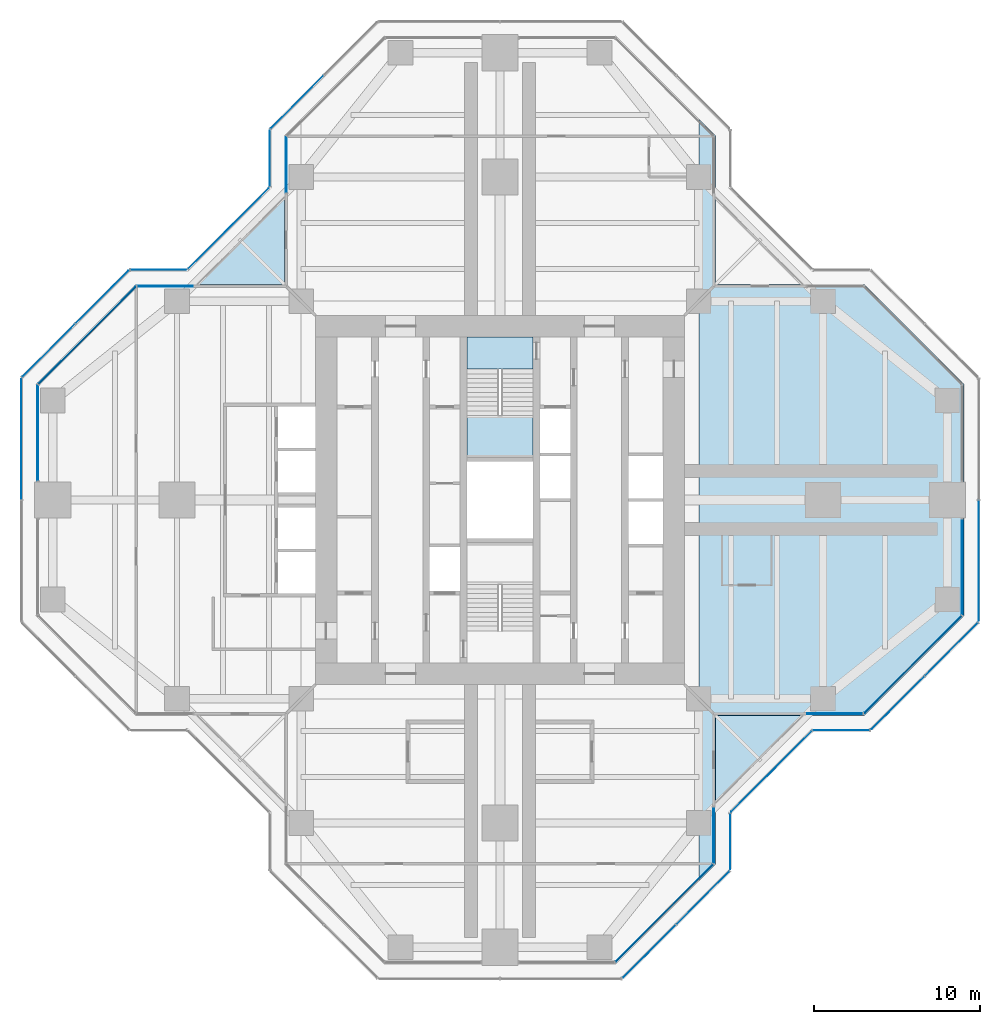
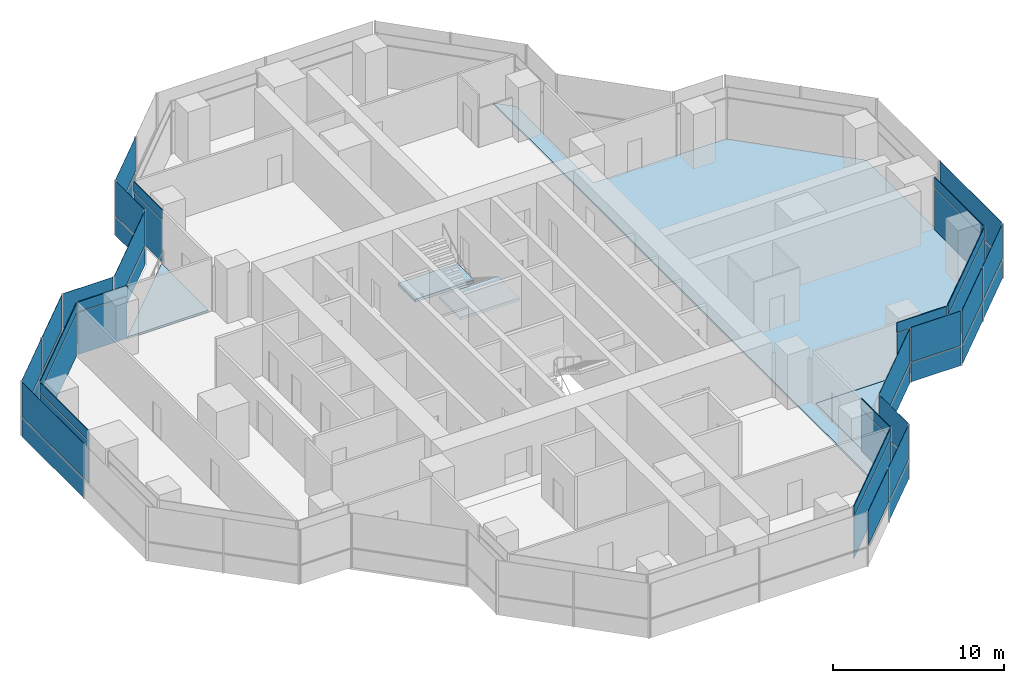
# One storey, part 11 of 17: 47 plates, 5 slabs, 22 elements without a shape of their own.
"""IFC4 building model written with IfcOpenShell, lengths in metres."""

import ifcopenshell
import ifcopenshell.guid

model = None  # the IFC model being written
_history = None  # IfcOwnerHistory: only IFC2X3 demands one
_inside = {}  # id of a spatial element -> (the spatial element, [elements in it])
_under = {}  # id of a project, library or spatial element -> (it, [spatial elements below it])
_declared = {}  # id of a project -> (the project, [libraries it declares])
_typed = {}  # id of a type object -> (the type object, [elements of that type])
_made_of = {}  # id of a material, layer set ... -> (it, [elements and type objects made of it])


def new_model(schema):
    """Start an empty IFC model of exactly this schema.

    Asked for "IFC4X3", IfcOpenShell would pick the latest addendum, in which some entities
    have other attributes; the version numbers below select the first issue.
    IFC2X3 requires an IfcOwnerHistory on every rooted entity: one is made here for all.
    """
    global model, _history
    if schema == "IFC4X3":
        model = ifcopenshell.file(schema_version=(4, 3, 0, 0))
    else:
        model = ifcopenshell.file(schema=schema)
    _inside.clear()
    _under.clear()
    _declared.clear()
    _typed.clear()
    _made_of.clear()
    _history = None
    if model.schema == "IFC2X3":
        org = make("IfcOrganization", Name="unknown")
        user = make(
            "IfcPersonAndOrganization",
            ThePerson=make("IfcPerson", FamilyName="unknown"),
            TheOrganization=org,
        )
        app = make(
            "IfcApplication",
            ApplicationDeveloper=org,
            Version="unknown",
            ApplicationFullName="unknown",
            ApplicationIdentifier="unknown",
        )
        _history = make(
            "IfcOwnerHistory",
            OwningUser=user,
            OwningApplication=app,
            ChangeAction="ADDED",
            CreationDate=0,
        )
    return model


def make(cls, **values):
    """One entity of the class cls with the attributes given. An attribute that is None is left unset."""
    return model.create_entity(
        cls, **{name: value for name, value in values.items() if value is not None}
    )


def rooted(cls, **values):
    """An entity with a GlobalId (a new one), such as an element, a storey or a relation."""
    return make(cls, GlobalId=ifcopenshell.guid.new(), OwnerHistory=_history, **values)


def si_unit(unit_type, name, prefix=None):
    """IfcSIUnit, for example si_unit("LENGTHUNIT", "METRE", prefix="MILLI")."""
    return make("IfcSIUnit", UnitType=unit_type, Prefix=prefix, Name=name)


def assignment(units):
    """IfcUnitAssignment: the units of a project."""
    return None if units is None else make("IfcUnitAssignment", Units=units)


def point(xyz):
    """IfcCartesianPoint."""
    return None if xyz is None else make("IfcCartesianPoint", Coordinates=xyz)


def direction(xyz):
    """IfcDirection."""
    return None if xyz is None else make("IfcDirection", DirectionRatios=xyz)


def frame(location, z_axis=None, x_axis=None):
    """IfcAxis2Placement3D, a coordinate frame: its origin and axes. An axis left out is left unset."""
    return make(
        "IfcAxis2Placement3D",
        Location=point(location),
        Axis=direction(z_axis),
        RefDirection=direction(x_axis),
    )


def frame_2d(location, x_axis=None):
    """IfcAxis2Placement2D, a coordinate frame in the plane: its origin and x axis."""
    return make(
        "IfcAxis2Placement2D", Location=point(location), RefDirection=direction(x_axis)
    )


def origin():
    """The frame at (0, 0, 0) with its axes left unset."""
    return frame((0.0, 0.0, 0.0))


def origin_2d():
    """The frame at (0, 0) in the plane with its x axis left unset."""
    return frame_2d((0.0, 0.0))


def place(relative_to, where):
    """IfcLocalPlacement: puts the frame where relative to a parent placement (None: the world)."""
    return make(
        "IfcLocalPlacement", PlacementRelTo=relative_to, RelativePlacement=where
    )


def context(
    kind, dimensions, precision=None, world=None, true_north=None, identifier=None
):
    """IfcGeometricRepresentationContext, for example the 3D "Model" context."""
    return make(
        "IfcGeometricRepresentationContext",
        ContextIdentifier=identifier,
        ContextType=kind,
        CoordinateSpaceDimension=dimensions,
        Precision=precision,
        WorldCoordinateSystem=world,
        TrueNorth=true_north,
    )


def subcontext(parent, identifier, kind, view, scale=None):
    """IfcGeometricRepresentationSubContext, for example "Body" below "Model"."""
    return make(
        "IfcGeometricRepresentationSubContext",
        ContextIdentifier=identifier,
        ContextType=kind,
        ParentContext=parent,
        TargetScale=scale,
        TargetView=view,
    )


def project(units=None, contexts=None):
    """IfcProject with its units and contexts."""
    return rooted(
        "IfcProject",
        Name="project",
        RepresentationContexts=contexts,
        UnitsInContext=assignment(units),
    )


def spatial(cls, under=None, at=None, **own):
    """A site, building, storey or space (cls), placed at a placement, below another one or the project."""
    s = rooted(cls, ObjectPlacement=at, **own)
    if under is not None:
        _under.setdefault(under.id(), (under, []))[1].append(s)
    return s


def polyline(points):
    """IfcPolyline through the points."""
    return make("IfcPolyline", Points=[point(p) for p in points])


def profile(cls, at=None, kind="AREA", **sizes):
    """A parametric profile (cls). Its sizes go by their IFC names, for example OverallWidth=200.0."""
    return make(cls, ProfileType=kind, Position=at, **sizes)


def rectangle(**sizes):
    """IfcRectangleProfileDef."""
    return profile("IfcRectangleProfileDef", **sizes)


def outline(outer, holes=None, kind="AREA"):
    """IfcArbitraryClosedProfileDef: a profile drawn as a closed curve; with holes, ...WithVoids."""
    if holes is None:
        return make("IfcArbitraryClosedProfileDef", ProfileType=kind, OuterCurve=outer)
    return make(
        "IfcArbitraryProfileDefWithVoids",
        ProfileType=kind,
        OuterCurve=outer,
        InnerCurves=holes,
    )


def extrude(swept, where, along, depth):
    """IfcExtrudedAreaSolid: the profile swept, set in the frame where, extruded along a direction by depth."""
    return make(
        "IfcExtrudedAreaSolid",
        SweptArea=swept,
        Position=where,
        ExtrudedDirection=direction(along),
        Depth=depth,
    )


def shape(context_of_items, identifier, shape_type, items):
    """IfcShapeRepresentation: the items that make up one representation, for example the "Body"."""
    return make(
        "IfcShapeRepresentation",
        ContextOfItems=context_of_items,
        RepresentationIdentifier=identifier,
        RepresentationType=shape_type,
        Items=items,
    )


def material(Name=None, Category=None):
    """IfcMaterial."""
    return make("IfcMaterial", Name=Name, Category=Category)


def layer(
    of_material, thickness, ventilated=None, Name=None, Category=None, Priority=None
):
    """IfcMaterialLayer: one layer of a wall or slab, of a material (None: an air gap)."""
    return make(
        "IfcMaterialLayer",
        Material=of_material,
        LayerThickness=thickness,
        IsVentilated=ventilated,
        Name=Name,
        Category=Category,
        Priority=Priority,
    )


def layer_set(layers, Name=None):
    """IfcMaterialLayerSet."""
    return make("IfcMaterialLayerSet", MaterialLayers=layers, LayerSetName=Name)


def made_of(thing, what):
    """Note that an element or type object is made of a material, layer set ...; save() writes the relation."""
    if what is not None:
        _made_of.setdefault(what.id(), (what, []))[1].append(thing)
    return thing


def type_object(cls, material=None, **own):
    """A type object (cls), such as IfcWallType, which elements share."""
    return made_of(rooted(cls, **own), material)


def element(
    cls,
    number,
    at=None,
    inside=None,
    cuts=None,
    type_object=None,
    material=None,
    context=None,
    identifier="Body",
    shape_type=None,
    held_by="IfcProductDefinitionShape",
    body=None,
    shapes=None,
    **own,
):
    """One element of the class cls, such as IfcWall. Its Tag is "e" and its number.

    at: its placement. inside: the storey or other place that contains it. cuts: it is an
    opening in that element (IfcRelVoidsElement). A single representation is given by context,
    identifier, shape_type and body (its items); several are given by shapes. held_by: the class
    of the entity that holds the representations. save() writes the other relations.
    """
    e = rooted(cls, Tag="e%d" % number, ObjectPlacement=at, **own)
    if body is not None:
        shapes = [shape(context, identifier, shape_type, body)]
    if shapes is not None:
        e.Representation = make(held_by, Representations=shapes)
    if inside is not None:
        _inside.setdefault(inside.id(), (inside, []))[1].append(e)
    if cuts is not None:
        rooted(
            "IfcRelVoidsElement", RelatingBuildingElement=cuts, RelatedOpeningElement=e
        )
    if type_object is not None:
        _typed.setdefault(type_object.id(), (type_object, []))[1].append(e)
    return made_of(e, material)


def aggregate(whole, parts):
    """IfcRelAggregates: a whole, such as a stair, and the parts it consists of."""
    return rooted("IfcRelAggregates", RelatingObject=whole, RelatedObjects=parts)


def save(model, path):
    """Write the relations noted so far, then the file.

    IfcRelAggregates (storeys below a building ...), IfcRelContainedInSpatialStructure (elements
    in a storey), IfcRelDefinesByType, IfcRelAssociatesMaterial and IfcRelDeclares: one each for
    every whole, place, type object, material and project.
    """
    for whole, parts in _under.values():
        aggregate(whole, parts)
    for where, things in _inside.values():
        rooted(
            "IfcRelContainedInSpatialStructure",
            RelatedElements=things,
            RelatingStructure=where,
        )
    for kind, things in _typed.values():
        rooted("IfcRelDefinesByType", RelatedObjects=things, RelatingType=kind)
    for what, things in _made_of.values():
        rooted("IfcRelAssociatesMaterial", RelatedObjects=things, RelatingMaterial=what)
    for by, libraries in _declared.values():
        rooted("IfcRelDeclares", RelatingContext=by, RelatedDefinitions=libraries)
    model.write(path)


model = new_model("IFC4")

# Units and contexts
model_context = context("Model", 3, precision=1e-05, world=origin(), true_north=direction((0.0, 1.0)))
body_context = subcontext(model_context, "Body", "Model", "MODEL_VIEW")
ifc_project = project(units=[si_unit("LENGTHUNIT", "METRE"), si_unit("AREAUNIT", "SQUARE_METRE"), si_unit("VOLUMEUNIT", "CUBIC_METRE"), si_unit("PLANEANGLEUNIT", "RADIAN"), si_unit("MASSUNIT", "GRAM", prefix="KILO")], contexts=[model_context])

# Site, building, storey
site_placement = place(None, origin())
site = spatial("IfcSite", under=ifc_project, at=site_placement, CompositionType="ELEMENT")
building_placement = place(site_placement, origin())
building = spatial("IfcBuilding", under=site, at=building_placement, Name="Mizan Broadcast Tower", CompositionType="ELEMENT")
storey_placement = place(building_placement, frame((0.0, 0.0, 216.60009765625)))
storey = spatial("IfcBuildingStorey", under=building, at=storey_placement, Name="L50", CompositionType="ELEMENT", Elevation=216.60009765625)

# Slab
ifc_material_1 = material(Name="Concrete C32/40", Category="concrete")
ifc_layer_1 = layer(ifc_material_1, 0.1298828125)
ifc_layer_set_1 = layer_set([ifc_layer_1], Name="Concrete C32/40")
slab_type_1 = type_object("IfcSlabType", Name="COMPOSITE DECK SLAB 130", PredefinedType="FLOOR", material=ifc_layer_set_1)
slab_1_placement = place(storey_placement, frame((0.0, 0.0, -0.130126953125)))
element("IfcSlab", 1, at=slab_1_placement, inside=storey, type_object=slab_type_1, Name="Floor slab L50 east arm", PredefinedType="FLOOR", context=body_context, shape_type="SweptSolid", body=[
    extrude(outline(polyline([(13.0, 22.0), (12.0, 23.0), (12.0, -23.0), (13.0, -22.0), (13.0, -13.0), (22.0, -13.0), (28.0, -7.0), (28.0, 7.0), (22.0, 13.0), (13.0, 13.0), (13.0, 22.0)])), origin(), (0.0, 0.0, 1.0), 0.130126953125),
])

# Curtain wall, plate
ifc_material_2 = material(Name="Aluminium framed glazing", Category="aluminium")
curtain_wall_type_1 = type_object("IfcCurtainWallType", Name="INNER SKIN HIGH ZONE", PredefinedType="USERDEFINED", material=ifc_material_2)
curtain_wall_1_placement = place(storey_placement, origin())
curtain_wall_1 = element("IfcCurtainWall", 2, at=curtain_wall_1_placement, inside=storey, type_object=curtain_wall_type_1, Name="Inner skin high zone L50 E side", ObjectType="INNER SKIN HIGH ZONE", PredefinedType="USERDEFINED")
ifc_material_3 = material(Name="Double glazing, clear low-e", Category="glass")
ifc_layer_2 = layer(ifc_material_3, 0.028076171875)
ifc_layer_set_2 = layer_set([ifc_layer_2], Name="Double glazing, clear low-e")
plate_type_1 = type_object("IfcPlateType", Name="INNER SKIN GLAZING UNIT", PredefinedType="CURTAIN_PANEL", material=ifc_layer_set_2)
plate_1_placement = place(storey_placement, frame((20.229248046875, -12.89990234375, 0.0), z_axis=(0.0, 0.0, 1.0), x_axis=(1.0, 0.0, 0.0)))
plate_1 = element("IfcPlate", 3, at=plate_1_placement, type_object=plate_type_1, Name="Inner skin high zone L50 E side panel 1.1", PredefinedType="CURTAIN_PANEL", context=body_context, shape_type="SweptSolid", body=[
    extrude(rectangle(XDim=3.338623046875, YDim=0.028076171875, at=origin_2d()), origin(), (0.0, 0.0, 1.0), 3.0),
])

curtain_wall_2_placement = place(storey_placement, origin())
curtain_wall_2 = element("IfcCurtainWall", 4, at=curtain_wall_2_placement, inside=storey, type_object=curtain_wall_type_1, Name="Inner skin high zone L50 E chamfer", ObjectType="INNER SKIN HIGH ZONE", PredefinedType="USERDEFINED")
plate_2_placement = place(storey_placement, frame((24.92919921875, -9.92919921875, 0.0), z_axis=(0.0, 0.0, 1.0), x_axis=(0.707106781187, 0.707106781187, 0.0)))
plate_2 = element("IfcPlate", 5, at=plate_2_placement, type_object=plate_type_1, Name="Inner skin high zone L50 E chamfer panel 1.1", PredefinedType="CURTAIN_PANEL", context=body_context, shape_type="SweptSolid", body=[
    extrude(rectangle(XDim=8.282470703125, YDim=0.028076171875, at=origin_2d()), origin(), (0.0, 0.0, 1.0), 3.0),
])

curtain_wall_3_placement = place(storey_placement, origin())
curtain_wall_3 = element("IfcCurtainWall", 6, at=curtain_wall_3_placement, inside=storey, type_object=curtain_wall_type_1, Name="Inner skin high zone L50 E end", ObjectType="INNER SKIN HIGH ZONE", PredefinedType="USERDEFINED")
plate_3_placement = place(storey_placement, frame((27.89990234375, -4.029296875, 0.0), z_axis=(0.0, 0.0, 1.0), x_axis=(0.0, 1.0, 0.0)))
plate_3 = element("IfcPlate", 7, at=plate_3_placement, type_object=plate_type_1, Name="Inner skin high zone L50 E end panel 1.1", PredefinedType="CURTAIN_PANEL", context=body_context, shape_type="SweptSolid", body=[
    extrude(rectangle(XDim=5.738525390625, YDim=0.028076171875, at=origin_2d()), origin(), (0.0, 0.0, 1.0), 3.0),
])

curtain_wall_4_placement = place(storey_placement, origin())
curtain_wall_4 = element("IfcCurtainWall", 8, at=curtain_wall_4_placement, inside=storey, type_object=curtain_wall_type_1, Name="Inner skin high zone L50 N side", ObjectType="INNER SKIN HIGH ZONE", PredefinedType="USERDEFINED")
plate_4_placement = place(storey_placement, frame((-12.89990234375, 20.229248046875, 0.0), z_axis=(0.0, 0.0, 1.0), x_axis=(0.0, -1.0, 0.0)))
plate_4 = element("IfcPlate", 9, at=plate_4_placement, type_object=plate_type_1, Name="Inner skin high zone L50 N side panel 1.1", PredefinedType="CURTAIN_PANEL", context=body_context, shape_type="SweptSolid", body=[
    extrude(rectangle(XDim=3.338623046875, YDim=0.028076171875, at=origin_2d()), origin(), (0.0, 0.0, 1.0), 3.0),
])

curtain_wall_5_placement = place(storey_placement, origin())
curtain_wall_5 = element("IfcCurtainWall", 10, at=curtain_wall_5_placement, inside=storey, type_object=curtain_wall_type_1, Name="Inner skin high zone L50 W side", ObjectType="INNER SKIN HIGH ZONE", PredefinedType="USERDEFINED")
plate_5_placement = place(storey_placement, frame((-20.229248046875, 12.89990234375, 0.0), z_axis=(0.0, 0.0, 1.0), x_axis=(-1.0, 0.0, 0.0)))
plate_5 = element("IfcPlate", 11, at=plate_5_placement, type_object=plate_type_1, Name="Inner skin high zone L50 W side panel 1.1", PredefinedType="CURTAIN_PANEL", context=body_context, shape_type="SweptSolid", body=[
    extrude(rectangle(XDim=3.338623046875, YDim=0.028076171875, at=origin_2d()), origin(), (0.0, 0.0, 1.0), 3.0),
])

curtain_wall_6_placement = place(storey_placement, origin())
curtain_wall_6 = element("IfcCurtainWall", 12, at=curtain_wall_6_placement, inside=storey, type_object=curtain_wall_type_1, Name="Inner skin high zone L50 W chamfer", ObjectType="INNER SKIN HIGH ZONE", PredefinedType="USERDEFINED")
plate_6_placement = place(storey_placement, frame((-24.92919921875, 9.92919921875, 0.0), z_axis=(0.0, 0.0, 1.0), x_axis=(-0.707106781187, -0.707106781187, 0.0)))
plate_6 = element("IfcPlate", 13, at=plate_6_placement, type_object=plate_type_1, Name="Inner skin high zone L50 W chamfer panel 1.1", PredefinedType="CURTAIN_PANEL", context=body_context, shape_type="SweptSolid", body=[
    extrude(rectangle(XDim=8.282470703125, YDim=0.028076171875, at=origin_2d()), origin(), (0.0, 0.0, 1.0), 3.0),
])

curtain_wall_7_placement = place(storey_placement, origin())
curtain_wall_7 = element("IfcCurtainWall", 14, at=curtain_wall_7_placement, inside=storey, type_object=curtain_wall_type_1, Name="Inner skin high zone L50 W end", ObjectType="INNER SKIN HIGH ZONE", PredefinedType="USERDEFINED")
plate_7_placement = place(storey_placement, frame((-27.89990234375, 4.029296875, 0.0), z_axis=(0.0, 0.0, 1.0), x_axis=(0.0, -1.0, 0.0)))
plate_7 = element("IfcPlate", 15, at=plate_7_placement, type_object=plate_type_1, Name="Inner skin high zone L50 W end panel 1.1", PredefinedType="CURTAIN_PANEL", context=body_context, shape_type="SweptSolid", body=[
    extrude(rectangle(XDim=5.738525390625, YDim=0.028076171875, at=origin_2d()), origin(), (0.0, 0.0, 1.0), 3.0),
])

curtain_wall_8_placement = place(storey_placement, origin())
curtain_wall_8 = element("IfcCurtainWall", 16, at=curtain_wall_8_placement, inside=storey, type_object=curtain_wall_type_1, Name="Inner skin high zone L50 S chamfer", ObjectType="INNER SKIN HIGH ZONE", PredefinedType="USERDEFINED")
plate_8_placement = place(storey_placement, frame((9.92919921875, -24.92919921875, 0.0), z_axis=(0.0, 0.0, 1.0), x_axis=(0.707106781187, 0.707106781187, 0.0)))
plate_8 = element("IfcPlate", 17, at=plate_8_placement, type_object=plate_type_1, Name="Inner skin high zone L50 S chamfer panel 1.1", PredefinedType="CURTAIN_PANEL", context=body_context, shape_type="SweptSolid", body=[
    extrude(rectangle(XDim=8.282470703125, YDim=0.028076171875, at=origin_2d()), origin(), (0.0, 0.0, 1.0), 3.0),
])

curtain_wall_9_placement = place(storey_placement, origin())
curtain_wall_9 = element("IfcCurtainWall", 18, at=curtain_wall_9_placement, inside=storey, type_object=curtain_wall_type_1, Name="Inner skin high zone L50 S side", ObjectType="INNER SKIN HIGH ZONE", PredefinedType="USERDEFINED")
plate_9_placement = place(storey_placement, frame((12.89990234375, -20.229248046875, 0.0), z_axis=(0.0, 0.0, 1.0), x_axis=(0.0, 1.0, 0.0)))
plate_9 = element("IfcPlate", 19, at=plate_9_placement, type_object=plate_type_1, Name="Inner skin high zone L50 S side panel 1.1", PredefinedType="CURTAIN_PANEL", context=body_context, shape_type="SweptSolid", body=[
    extrude(rectangle(XDim=3.338623046875, YDim=0.028076171875, at=origin_2d()), origin(), (0.0, 0.0, 1.0), 3.0),
])

# Plate
ifc_material_4 = material(Name="Insulated aluminium spandrel panel, pale anodised", Category="aluminium")
ifc_layer_3 = layer(ifc_material_4, 0.050048828125)
ifc_layer_set_3 = layer_set([ifc_layer_3], Name="Insulated aluminium spandrel panel, pale anodised")
plate_type_2 = type_object("IfcPlateType", Name="INNER SKIN SPANDREL PANEL", PredefinedType="CURTAIN_PANEL", material=ifc_layer_set_3)
plate_10_placement = place(storey_placement, frame((20.229248046875, -12.89990234375, 3.059814453125), z_axis=(0.0, 0.0, 1.0), x_axis=(1.0, 0.0, 0.0)))
plate_10 = element("IfcPlate", 20, at=plate_10_placement, type_object=plate_type_2, Name="Inner skin high zone L50 E side panel 1.2", PredefinedType="CURTAIN_PANEL", context=body_context, shape_type="SweptSolid", body=[
    extrude(rectangle(XDim=3.338623046875, YDim=0.050048828125, at=origin_2d()), origin(), (0.0, 0.0, 1.0), 0.7099609375),
])

aggregate(curtain_wall_1, [plate_1, plate_10])

plate_11_placement = place(storey_placement, frame((24.92919921875, -9.92919921875, 3.059814453125), z_axis=(0.0, 0.0, 1.0), x_axis=(0.707106781187, 0.707106781187, 0.0)))
plate_11 = element("IfcPlate", 21, at=plate_11_placement, type_object=plate_type_2, Name="Inner skin high zone L50 E chamfer panel 1.2", PredefinedType="CURTAIN_PANEL", context=body_context, shape_type="SweptSolid", body=[
    extrude(rectangle(XDim=8.282470703125, YDim=0.050048828125, at=origin_2d()), origin(), (0.0, 0.0, 1.0), 0.7099609375),
])

aggregate(curtain_wall_2, [plate_2, plate_11])

plate_12_placement = place(storey_placement, frame((27.89990234375, -4.029296875, 3.059814453125), z_axis=(0.0, 0.0, 1.0), x_axis=(0.0, 1.0, 0.0)))
plate_12 = element("IfcPlate", 22, at=plate_12_placement, type_object=plate_type_2, Name="Inner skin high zone L50 E end panel 1.2", PredefinedType="CURTAIN_PANEL", context=body_context, shape_type="SweptSolid", body=[
    extrude(rectangle(XDim=5.738525390625, YDim=0.050048828125, at=origin_2d()), origin(), (0.0, 0.0, 1.0), 0.7099609375),
])

aggregate(curtain_wall_3, [plate_3, plate_12])

plate_13_placement = place(storey_placement, frame((-12.89990234375, 20.229248046875, 3.059814453125), z_axis=(0.0, 0.0, 1.0), x_axis=(0.0, -1.0, 0.0)))
plate_13 = element("IfcPlate", 23, at=plate_13_placement, type_object=plate_type_2, Name="Inner skin high zone L50 N side panel 1.2", PredefinedType="CURTAIN_PANEL", context=body_context, shape_type="SweptSolid", body=[
    extrude(rectangle(XDim=3.338623046875, YDim=0.050048828125, at=origin_2d()), origin(), (0.0, 0.0, 1.0), 0.7099609375),
])

aggregate(curtain_wall_4, [plate_4, plate_13])

plate_14_placement = place(storey_placement, frame((-20.229248046875, 12.89990234375, 3.059814453125), z_axis=(0.0, 0.0, 1.0), x_axis=(-1.0, 0.0, 0.0)))
plate_14 = element("IfcPlate", 24, at=plate_14_placement, type_object=plate_type_2, Name="Inner skin high zone L50 W side panel 1.2", PredefinedType="CURTAIN_PANEL", context=body_context, shape_type="SweptSolid", body=[
    extrude(rectangle(XDim=3.338623046875, YDim=0.050048828125, at=origin_2d()), origin(), (0.0, 0.0, 1.0), 0.7099609375),
])

aggregate(curtain_wall_5, [plate_5, plate_14])

plate_15_placement = place(storey_placement, frame((-24.92919921875, 9.92919921875, 3.059814453125), z_axis=(0.0, 0.0, 1.0), x_axis=(-0.707106781187, -0.707106781187, 0.0)))
plate_15 = element("IfcPlate", 25, at=plate_15_placement, type_object=plate_type_2, Name="Inner skin high zone L50 W chamfer panel 1.2", PredefinedType="CURTAIN_PANEL", context=body_context, shape_type="SweptSolid", body=[
    extrude(rectangle(XDim=8.282470703125, YDim=0.050048828125, at=origin_2d()), origin(), (0.0, 0.0, 1.0), 0.7099609375),
])

aggregate(curtain_wall_6, [plate_6, plate_15])

plate_16_placement = place(storey_placement, frame((-27.89990234375, 4.029296875, 3.059814453125), z_axis=(0.0, 0.0, 1.0), x_axis=(0.0, -1.0, 0.0)))
plate_16 = element("IfcPlate", 26, at=plate_16_placement, type_object=plate_type_2, Name="Inner skin high zone L50 W end panel 1.2", PredefinedType="CURTAIN_PANEL", context=body_context, shape_type="SweptSolid", body=[
    extrude(rectangle(XDim=5.738525390625, YDim=0.050048828125, at=origin_2d()), origin(), (0.0, 0.0, 1.0), 0.7099609375),
])

aggregate(curtain_wall_7, [plate_7, plate_16])

plate_17_placement = place(storey_placement, frame((9.92919921875, -24.92919921875, 3.059814453125), z_axis=(0.0, 0.0, 1.0), x_axis=(0.707106781187, 0.707106781187, 0.0)))
plate_17 = element("IfcPlate", 27, at=plate_17_placement, type_object=plate_type_2, Name="Inner skin high zone L50 S chamfer panel 1.2", PredefinedType="CURTAIN_PANEL", context=body_context, shape_type="SweptSolid", body=[
    extrude(rectangle(XDim=8.282470703125, YDim=0.050048828125, at=origin_2d()), origin(), (0.0, 0.0, 1.0), 0.7099609375),
])

aggregate(curtain_wall_8, [plate_8, plate_17])

plate_18_placement = place(storey_placement, frame((12.89990234375, -20.229248046875, 3.059814453125), z_axis=(0.0, 0.0, 1.0), x_axis=(0.0, 1.0, 0.0)))
plate_18 = element("IfcPlate", 28, at=plate_18_placement, type_object=plate_type_2, Name="Inner skin high zone L50 S side panel 1.2", PredefinedType="CURTAIN_PANEL", context=body_context, shape_type="SweptSolid", body=[
    extrude(rectangle(XDim=3.338623046875, YDim=0.050048828125, at=origin_2d()), origin(), (0.0, 0.0, 1.0), 0.7099609375),
])

aggregate(curtain_wall_9, [plate_9, plate_18])

# Curtain wall, plates
ifc_material_5 = material(Name="Aluminium framed glazing", Category="aluminium")
curtain_wall_type_2 = type_object("IfcCurtainWallType", Name="OUTER SKIN", PredefinedType="USERDEFINED", material=ifc_material_5)
curtain_wall_10_placement = place(storey_placement, origin())
curtain_wall_10 = element("IfcCurtainWall", 29, at=curtain_wall_10_placement, inside=storey, type_object=curtain_wall_type_2, Name="Outer skin L50 E chamfer", ObjectType="OUTER SKIN", PredefinedType="USERDEFINED")
ifc_material_6 = material(Name="Laminated clear glass", Category="glass")
ifc_layer_4 = layer(ifc_material_6, 0.02001953125)
ifc_layer_set_4 = layer_set([ifc_layer_4], Name="Laminated clear glass")
plate_type_3 = type_object("IfcPlateType", Name="OUTER SKIN CLEAR GLASS", PredefinedType="CURTAIN_PANEL", material=ifc_layer_set_4)
plate_19_placement = place(storey_placement, frame((24.018798828125, -12.254150390625, -0.000244140625), z_axis=(0.0, 0.0, 1.0), x_axis=(0.707106781187, 0.707106781187, 0.0)))
plate_19 = element("IfcPlate", 30, at=plate_19_placement, type_object=plate_type_3, Name="Outer skin L50 E chamfer panel 1.1", PredefinedType="CURTAIN_PANEL", context=body_context, shape_type="SweptSolid", body=[
    extrude(rectangle(XDim=4.495361328125, YDim=0.02001953125, at=origin_2d()), origin(), (0.0, 0.0, 1.0), 1.3701171875),
])
plate_20_placement = place(storey_placement, frame((24.018798828125, -12.254150390625, 1.4296875), z_axis=(0.0, 0.0, 1.0), x_axis=(0.707106781187, 0.707106781187, 0.0)))
plate_20 = element("IfcPlate", 31, at=plate_20_placement, type_object=plate_type_3, Name="Outer skin L50 E chamfer panel 1.2", PredefinedType="CURTAIN_PANEL", context=body_context, shape_type="SweptSolid", body=[
    extrude(rectangle(XDim=4.495361328125, YDim=0.02001953125, at=origin_2d()), origin(), (0.0, 0.0, 1.0), 2.469970703125),
])

curtain_wall_11_placement = place(storey_placement, origin())
curtain_wall_11 = element("IfcCurtainWall", 32, at=curtain_wall_11_placement, inside=storey, type_object=curtain_wall_type_2, Name="Outer skin L50 E end", ObjectType="OUTER SKIN", PredefinedType="USERDEFINED")
plate_21_placement = place(storey_placement, frame((28.89990234375, -3.66650390625, -0.000244140625), z_axis=(0.0, 0.0, 1.0), x_axis=(0.0, 1.0, 0.0)))
plate_21 = element("IfcPlate", 33, at=plate_21_placement, type_object=plate_type_3, Name="Outer skin L50 E end panel 1.1", PredefinedType="CURTAIN_PANEL", context=body_context, shape_type="SweptSolid", body=[
    extrude(rectangle(XDim=7.252685546875, YDim=0.02001953125, at=origin_2d()), origin(), (0.0, 0.0, 1.0), 1.3701171875),
])
plate_22_placement = place(storey_placement, frame((28.89990234375, -3.66650390625, 1.4296875), z_axis=(0.0, 0.0, 1.0), x_axis=(0.0, 1.0, 0.0)))
plate_22 = element("IfcPlate", 34, at=plate_22_placement, type_object=plate_type_3, Name="Outer skin L50 E end panel 1.2", PredefinedType="CURTAIN_PANEL", context=body_context, shape_type="SweptSolid", body=[
    extrude(rectangle(XDim=7.252685546875, YDim=0.02001953125, at=origin_2d()), origin(), (0.0, 0.0, 1.0), 2.469970703125),
])
aggregate(curtain_wall_11, [plate_21, plate_22])

curtain_wall_12_placement = place(storey_placement, origin())
curtain_wall_12 = element("IfcCurtainWall", 35, at=curtain_wall_12_placement, inside=storey, type_object=curtain_wall_type_2, Name="Outer skin L50 N side", ObjectType="OUTER SKIN", PredefinedType="USERDEFINED")
plate_23_placement = place(storey_placement, frame((-13.89990234375, 20.622802734375, -0.000244140625), z_axis=(0.0, 0.0, 1.0), x_axis=(0.0, -1.0, 0.0)))
plate_23 = element("IfcPlate", 36, at=plate_23_placement, type_object=plate_type_3, Name="Outer skin L50 N side panel 1.1", PredefinedType="CURTAIN_PANEL", context=body_context, shape_type="SweptSolid", body=[
    extrude(rectangle(XDim=3.340087890625, YDim=0.02001953125, at=origin_2d()), origin(), (0.0, 0.0, 1.0), 1.3701171875),
])
plate_24_placement = place(storey_placement, frame((-13.89990234375, 20.622802734375, 1.4296875), z_axis=(0.0, 0.0, 1.0), x_axis=(0.0, -1.0, 0.0)))
plate_24 = element("IfcPlate", 37, at=plate_24_placement, type_object=plate_type_3, Name="Outer skin L50 N side panel 1.2", PredefinedType="CURTAIN_PANEL", context=body_context, shape_type="SweptSolid", body=[
    extrude(rectangle(XDim=3.340087890625, YDim=0.02001953125, at=origin_2d()), origin(), (0.0, 0.0, 1.0), 2.469970703125),
])
aggregate(curtain_wall_12, [plate_23, plate_24])

curtain_wall_13_placement = place(storey_placement, origin())
curtain_wall_13 = element("IfcCurtainWall", 38, at=curtain_wall_13_placement, inside=storey, type_object=curtain_wall_type_2, Name="Outer skin L50 W chamfer", ObjectType="OUTER SKIN", PredefinedType="USERDEFINED")
plate_25_placement = place(storey_placement, frame((-16.386474609375, 16.386474609375, -0.000244140625), z_axis=(0.0, 0.0, 1.0), x_axis=(-0.707106781187, -0.707106781187, 0.0)))
plate_25 = element("IfcPlate", 39, at=plate_25_placement, type_object=plate_type_3, Name="Outer skin L50 W chamfer panel 1.1", PredefinedType="CURTAIN_PANEL", context=body_context, shape_type="SweptSolid", body=[
    extrude(rectangle(XDim=6.87255859375, YDim=0.02001953125, at=origin_2d()), origin(), (0.0, 0.0, 1.0), 1.3701171875),
])
plate_26_placement = place(storey_placement, frame((-16.386474609375, 16.386474609375, 1.4296875), z_axis=(0.0, 0.0, 1.0), x_axis=(-0.707106781187, -0.707106781187, 0.0)))
plate_26 = element("IfcPlate", 40, at=plate_26_placement, type_object=plate_type_3, Name="Outer skin L50 W chamfer panel 1.2", PredefinedType="CURTAIN_PANEL", context=body_context, shape_type="SweptSolid", body=[
    extrude(rectangle(XDim=6.87255859375, YDim=0.02001953125, at=origin_2d()), origin(), (0.0, 0.0, 1.0), 2.469970703125),
])
aggregate(curtain_wall_13, [plate_25, plate_26])

curtain_wall_14_placement = place(storey_placement, origin())
curtain_wall_14 = element("IfcCurtainWall", 41, at=curtain_wall_14_placement, inside=storey, type_object=curtain_wall_type_2, Name="Outer skin L50 W side", ObjectType="OUTER SKIN", PredefinedType="USERDEFINED")
plate_27_placement = place(storey_placement, frame((-20.622802734375, 13.89990234375, -0.000244140625), z_axis=(0.0, 0.0, 1.0), x_axis=(-1.0, 0.0, 0.0)))
plate_27 = element("IfcPlate", 42, at=plate_27_placement, type_object=plate_type_3, Name="Outer skin L50 W side panel 1.1", PredefinedType="CURTAIN_PANEL", context=body_context, shape_type="SweptSolid", body=[
    extrude(rectangle(XDim=3.340087890625, YDim=0.02001953125, at=origin_2d()), origin(), (0.0, 0.0, 1.0), 1.3701171875),
])
plate_28_placement = place(storey_placement, frame((-20.622802734375, 13.89990234375, 1.4296875), z_axis=(0.0, 0.0, 1.0), x_axis=(-1.0, 0.0, 0.0)))
plate_28 = element("IfcPlate", 43, at=plate_28_placement, type_object=plate_type_3, Name="Outer skin L50 W side panel 1.2", PredefinedType="CURTAIN_PANEL", context=body_context, shape_type="SweptSolid", body=[
    extrude(rectangle(XDim=3.340087890625, YDim=0.02001953125, at=origin_2d()), origin(), (0.0, 0.0, 1.0), 2.469970703125),
])
aggregate(curtain_wall_14, [plate_27, plate_28])

curtain_wall_15_placement = place(storey_placement, origin())
curtain_wall_15 = element("IfcCurtainWall", 44, at=curtain_wall_15_placement, inside=storey, type_object=curtain_wall_type_2, Name="Outer skin L50 W chamfer", ObjectType="OUTER SKIN", PredefinedType="USERDEFINED")
plate_29_placement = place(storey_placement, frame((-24.018798828125, 12.254150390625, -0.000244140625), z_axis=(0.0, 0.0, 1.0), x_axis=(-0.707106781187, -0.707106781187, 0.0)))
plate_29 = element("IfcPlate", 45, at=plate_29_placement, type_object=plate_type_3, Name="Outer skin L50 W chamfer panel 1.1", PredefinedType="CURTAIN_PANEL", context=body_context, shape_type="SweptSolid", body=[
    extrude(rectangle(XDim=4.495361328125, YDim=0.02001953125, at=origin_2d()), origin(), (0.0, 0.0, 1.0), 1.3701171875),
])
plate_30_placement = place(storey_placement, frame((-24.018798828125, 12.254150390625, 1.4296875), z_axis=(0.0, 0.0, 1.0), x_axis=(-0.707106781187, -0.707106781187, 0.0)))
plate_30 = element("IfcPlate", 46, at=plate_30_placement, type_object=plate_type_3, Name="Outer skin L50 W chamfer panel 1.2", PredefinedType="CURTAIN_PANEL", context=body_context, shape_type="SweptSolid", body=[
    extrude(rectangle(XDim=4.495361328125, YDim=0.02001953125, at=origin_2d()), origin(), (0.0, 0.0, 1.0), 2.469970703125),
])

curtain_wall_16_placement = place(storey_placement, origin())
curtain_wall_16 = element("IfcCurtainWall", 47, at=curtain_wall_16_placement, inside=storey, type_object=curtain_wall_type_2, Name="Outer skin L50 W end", ObjectType="OUTER SKIN", PredefinedType="USERDEFINED")
plate_31_placement = place(storey_placement, frame((-28.89990234375, 3.66650390625, -0.000244140625), z_axis=(0.0, 0.0, 1.0), x_axis=(0.0, -1.0, 0.0)))
plate_31 = element("IfcPlate", 48, at=plate_31_placement, type_object=plate_type_3, Name="Outer skin L50 W end panel 1.1", PredefinedType="CURTAIN_PANEL", context=body_context, shape_type="SweptSolid", body=[
    extrude(rectangle(XDim=7.252685546875, YDim=0.02001953125, at=origin_2d()), origin(), (0.0, 0.0, 1.0), 1.3701171875),
])
plate_32_placement = place(storey_placement, frame((-28.89990234375, 3.66650390625, 1.4296875), z_axis=(0.0, 0.0, 1.0), x_axis=(0.0, -1.0, 0.0)))
plate_32 = element("IfcPlate", 49, at=plate_32_placement, type_object=plate_type_3, Name="Outer skin L50 W end panel 1.2", PredefinedType="CURTAIN_PANEL", context=body_context, shape_type="SweptSolid", body=[
    extrude(rectangle(XDim=7.252685546875, YDim=0.02001953125, at=origin_2d()), origin(), (0.0, 0.0, 1.0), 2.469970703125),
])
aggregate(curtain_wall_16, [plate_31, plate_32])

# Curtain wall, plate
curtain_wall_17_placement = place(storey_placement, origin())
curtain_wall_17 = element("IfcCurtainWall", 50, at=curtain_wall_17_placement, inside=storey, type_object=curtain_wall_type_2, Name="Outer skin L50 S chamfer", ObjectType="OUTER SKIN", PredefinedType="USERDEFINED")
plate_33_placement = place(storey_placement, frame((9.018798828125, -27.254150390625, 1.4296875), z_axis=(0.0, 0.0, 1.0), x_axis=(0.707106781187, 0.707106781187, 0.0)))
plate_33 = element("IfcPlate", 51, at=plate_33_placement, type_object=plate_type_3, Name="Outer skin L50 S chamfer panel 1.2", PredefinedType="CURTAIN_PANEL", context=body_context, shape_type="SweptSolid", body=[
    extrude(rectangle(XDim=4.495361328125, YDim=0.02001953125, at=origin_2d()), origin(), (0.0, 0.0, 1.0), 2.469970703125),
])

# Curtain wall, plates
curtain_wall_18_placement = place(storey_placement, origin())
curtain_wall_18 = element("IfcCurtainWall", 52, at=curtain_wall_18_placement, inside=storey, type_object=curtain_wall_type_2, Name="Outer skin L50 S side", ObjectType="OUTER SKIN", PredefinedType="USERDEFINED")
plate_34_placement = place(storey_placement, frame((13.89990234375, -20.622802734375, -0.000244140625), z_axis=(0.0, 0.0, 1.0), x_axis=(0.0, 1.0, 0.0)))
plate_34 = element("IfcPlate", 53, at=plate_34_placement, type_object=plate_type_3, Name="Outer skin L50 S side panel 1.1", PredefinedType="CURTAIN_PANEL", context=body_context, shape_type="SweptSolid", body=[
    extrude(rectangle(XDim=3.340087890625, YDim=0.02001953125, at=origin_2d()), origin(), (0.0, 0.0, 1.0), 1.3701171875),
])
plate_35_placement = place(storey_placement, frame((13.89990234375, -20.622802734375, 1.4296875), z_axis=(0.0, 0.0, 1.0), x_axis=(0.0, 1.0, 0.0)))
plate_35 = element("IfcPlate", 54, at=plate_35_placement, type_object=plate_type_3, Name="Outer skin L50 S side panel 1.2", PredefinedType="CURTAIN_PANEL", context=body_context, shape_type="SweptSolid", body=[
    extrude(rectangle(XDim=3.340087890625, YDim=0.02001953125, at=origin_2d()), origin(), (0.0, 0.0, 1.0), 2.469970703125),
])
aggregate(curtain_wall_18, [plate_34, plate_35])

curtain_wall_19_placement = place(storey_placement, origin())
curtain_wall_19 = element("IfcCurtainWall", 55, at=curtain_wall_19_placement, inside=storey, type_object=curtain_wall_type_2, Name="Outer skin L50 E chamfer", ObjectType="OUTER SKIN", PredefinedType="USERDEFINED")
plate_36_placement = place(storey_placement, frame((16.386474609375, -16.386474609375, -0.000244140625), z_axis=(0.0, 0.0, 1.0), x_axis=(0.707106781187, 0.707106781187, 0.0)))
plate_36 = element("IfcPlate", 56, at=plate_36_placement, type_object=plate_type_3, Name="Outer skin L50 E chamfer panel 1.1", PredefinedType="CURTAIN_PANEL", context=body_context, shape_type="SweptSolid", body=[
    extrude(rectangle(XDim=6.87255859375, YDim=0.02001953125, at=origin_2d()), origin(), (0.0, 0.0, 1.0), 1.3701171875),
])
plate_37_placement = place(storey_placement, frame((16.386474609375, -16.386474609375, 1.4296875), z_axis=(0.0, 0.0, 1.0), x_axis=(0.707106781187, 0.707106781187, 0.0)))
plate_37 = element("IfcPlate", 57, at=plate_37_placement, type_object=plate_type_3, Name="Outer skin L50 E chamfer panel 1.2", PredefinedType="CURTAIN_PANEL", context=body_context, shape_type="SweptSolid", body=[
    extrude(rectangle(XDim=6.87255859375, YDim=0.02001953125, at=origin_2d()), origin(), (0.0, 0.0, 1.0), 2.469970703125),
])
aggregate(curtain_wall_19, [plate_36, plate_37])

curtain_wall_20_placement = place(storey_placement, origin())
curtain_wall_20 = element("IfcCurtainWall", 58, at=curtain_wall_20_placement, inside=storey, type_object=curtain_wall_type_2, Name="Outer skin L50 E side", ObjectType="OUTER SKIN", PredefinedType="USERDEFINED")
plate_38_placement = place(storey_placement, frame((20.622802734375, -13.89990234375, -0.000244140625), z_axis=(0.0, 0.0, 1.0), x_axis=(1.0, 0.0, 0.0)))
plate_38 = element("IfcPlate", 59, at=plate_38_placement, type_object=plate_type_3, Name="Outer skin L50 E side panel 1.1", PredefinedType="CURTAIN_PANEL", context=body_context, shape_type="SweptSolid", body=[
    extrude(rectangle(XDim=3.340087890625, YDim=0.02001953125, at=origin_2d()), origin(), (0.0, 0.0, 1.0), 1.3701171875),
])
plate_39_placement = place(storey_placement, frame((20.622802734375, -13.89990234375, 1.4296875), z_axis=(0.0, 0.0, 1.0), x_axis=(1.0, 0.0, 0.0)))
plate_39 = element("IfcPlate", 60, at=plate_39_placement, type_object=plate_type_3, Name="Outer skin L50 E side panel 1.2", PredefinedType="CURTAIN_PANEL", context=body_context, shape_type="SweptSolid", body=[
    extrude(rectangle(XDim=3.340087890625, YDim=0.02001953125, at=origin_2d()), origin(), (0.0, 0.0, 1.0), 2.469970703125),
])
aggregate(curtain_wall_20, [plate_38, plate_39])

# Plate
ifc_material_7 = material(Name="Perforated aluminium, pale anodised", Category="aluminium")
ifc_layer_5 = layer(ifc_material_7, 0.011962890625)
ifc_layer_set_5 = layer_set([ifc_layer_5], Name="Perforated aluminium, pale anodised")
plate_type_4 = type_object("IfcPlateType", Name="OUTER SKIN PERFORATED SCREEN", PredefinedType="USERDEFINED", material=ifc_layer_set_5)
plate_40_placement = place(storey_placement, frame((27.254150390625, -9.018798828125, -0.000244140625), z_axis=(0.0, 0.0, 1.0), x_axis=(0.707106781187, 0.707106781187, 0.0)))
plate_40 = element("IfcPlate", 61, at=plate_40_placement, type_object=plate_type_4, Name="Outer skin L50 E chamfer panel 2.1", ObjectType="SCREEN", PredefinedType="USERDEFINED", context=body_context, shape_type="SweptSolid", body=[
    extrude(rectangle(XDim=4.495361328125, YDim=0.011962890625, at=origin_2d()), origin(), (0.0, 0.0, 1.0), 1.3701171875),
])

plate_41_placement = place(storey_placement, frame((27.254150390625, -9.018798828125, 1.4296875), z_axis=(0.0, 0.0, 1.0), x_axis=(0.707106781187, 0.707106781187, 0.0)))
plate_41 = element("IfcPlate", 62, at=plate_41_placement, type_object=plate_type_4, Name="Outer skin L50 E chamfer panel 2.2", ObjectType="SCREEN", PredefinedType="USERDEFINED", context=body_context, shape_type="SweptSolid", body=[
    extrude(rectangle(XDim=4.495361328125, YDim=0.011962890625, at=origin_2d()), origin(), (0.0, 0.0, 1.0), 2.469970703125),
])

aggregate(curtain_wall_10, [plate_19, plate_20, plate_40, plate_41])

# Curtain wall, plates
curtain_wall_21_placement = place(storey_placement, origin())
curtain_wall_21 = element("IfcCurtainWall", 63, at=curtain_wall_21_placement, inside=storey, type_object=curtain_wall_type_2, Name="Outer skin L50 N chamfer", ObjectType="OUTER SKIN", PredefinedType="USERDEFINED")
plate_42_placement = place(storey_placement, frame((-12.254150390625, 24.018798828125, -0.000244140625), z_axis=(0.0, 0.0, 1.0), x_axis=(-0.707106781187, -0.707106781187, 0.0)))
plate_42 = element("IfcPlate", 64, at=plate_42_placement, type_object=plate_type_4, Name="Outer skin L50 N chamfer panel 2.1", ObjectType="SCREEN", PredefinedType="USERDEFINED", context=body_context, shape_type="SweptSolid", body=[
    extrude(rectangle(XDim=4.495361328125, YDim=0.011962890625, at=origin_2d()), origin(), (0.0, 0.0, 1.0), 1.3701171875),
])
plate_43_placement = place(storey_placement, frame((-12.254150390625, 24.018798828125, 1.4296875), z_axis=(0.0, 0.0, 1.0), x_axis=(-0.707106781187, -0.707106781187, 0.0)))
plate_43 = element("IfcPlate", 65, at=plate_43_placement, type_object=plate_type_4, Name="Outer skin L50 N chamfer panel 2.2", ObjectType="SCREEN", PredefinedType="USERDEFINED", context=body_context, shape_type="SweptSolid", body=[
    extrude(rectangle(XDim=4.495361328125, YDim=0.011962890625, at=origin_2d()), origin(), (0.0, 0.0, 1.0), 2.469970703125),
])
aggregate(curtain_wall_21, [plate_42, plate_43])

# Plate
plate_44_placement = place(storey_placement, frame((-27.254150390625, 9.018798828125, -0.000244140625), z_axis=(0.0, 0.0, 1.0), x_axis=(-0.707106781187, -0.707106781187, 0.0)))
plate_44 = element("IfcPlate", 66, at=plate_44_placement, type_object=plate_type_4, Name="Outer skin L50 W chamfer panel 2.1", ObjectType="SCREEN", PredefinedType="USERDEFINED", context=body_context, shape_type="SweptSolid", body=[
    extrude(rectangle(XDim=4.495361328125, YDim=0.011962890625, at=origin_2d()), origin(), (0.0, 0.0, 1.0), 1.3701171875),
])

plate_45_placement = place(storey_placement, frame((-27.254150390625, 9.018798828125, 1.4296875), z_axis=(0.0, 0.0, 1.0), x_axis=(-0.707106781187, -0.707106781187, 0.0)))
plate_45 = element("IfcPlate", 67, at=plate_45_placement, type_object=plate_type_4, Name="Outer skin L50 W chamfer panel 2.2", ObjectType="SCREEN", PredefinedType="USERDEFINED", context=body_context, shape_type="SweptSolid", body=[
    extrude(rectangle(XDim=4.495361328125, YDim=0.011962890625, at=origin_2d()), origin(), (0.0, 0.0, 1.0), 2.469970703125),
])

aggregate(curtain_wall_15, [plate_29, plate_30, plate_44, plate_45])

plate_46_placement = place(storey_placement, frame((12.254150390625, -24.018798828125, -0.000244140625), z_axis=(0.0, 0.0, 1.0), x_axis=(0.707106781187, 0.707106781187, 0.0)))
plate_46 = element("IfcPlate", 68, at=plate_46_placement, type_object=plate_type_4, Name="Outer skin L50 S chamfer panel 2.1", ObjectType="SCREEN", PredefinedType="USERDEFINED", context=body_context, shape_type="SweptSolid", body=[
    extrude(rectangle(XDim=4.495361328125, YDim=0.011962890625, at=origin_2d()), origin(), (0.0, 0.0, 1.0), 1.3701171875),
])

plate_47_placement = place(storey_placement, frame((12.254150390625, -24.018798828125, 1.4296875), z_axis=(0.0, 0.0, 1.0), x_axis=(0.707106781187, 0.707106781187, 0.0)))
plate_47 = element("IfcPlate", 69, at=plate_47_placement, type_object=plate_type_4, Name="Outer skin L50 S chamfer panel 2.2", ObjectType="SCREEN", PredefinedType="USERDEFINED", context=body_context, shape_type="SweptSolid", body=[
    extrude(rectangle(XDim=4.495361328125, YDim=0.011962890625, at=origin_2d()), origin(), (0.0, 0.0, 1.0), 2.469970703125),
])

aggregate(curtain_wall_17, [plate_33, plate_46, plate_47])

# Stair, slabs
ifc_material_8 = material(Name="Concrete C40/50", Category="concrete")
stair_type = type_object("IfcStairType", Name="EXIT STAIR", PredefinedType="HALF_TURN_STAIR", material=ifc_material_8)
stair_placement = place(storey_placement, origin())
stair = element("IfcStair", 70, at=stair_placement, inside=storey, type_object=stair_type, Name="Stair B L50", PredefinedType="HALF_TURN_STAIR")
ifc_material_9 = material(Name="Concrete C40/50", Category="concrete")
ifc_layer_6 = layer(ifc_material_9, 0.199951171875)
ifc_layer_set_6 = layer_set([ifc_layer_6], Name="Concrete C40/50")
slab_type_2 = type_object("IfcSlabType", Name="STAIR LANDING 200", PredefinedType="LANDING", material=ifc_layer_set_6)
slab_2_placement = place(storey_placement, frame((0.0, 0.0, -0.2001953125)))
slab_2 = element("IfcSlab", 71, at=slab_2_placement, type_object=slab_type_2, Name="B landing 1", PredefinedType="LANDING", context=body_context, shape_type="SweptSolid", body=[
    extrude(outline(polyline([(2.0, 9.85009765625), (2.0, 7.89990234375), (-2.0, 7.89990234375), (-2.0, 9.85009765625), (2.0, 9.85009765625)])), origin(), (0.0, 0.0, 1.0), 0.2001953125),
])
slab_3_placement = place(storey_placement, frame((0.0, 0.0, 1.75)))
slab_3 = element("IfcSlab", 72, at=slab_3_placement, type_object=slab_type_2, Name="B landing 2", PredefinedType="LANDING", context=body_context, shape_type="SweptSolid", body=[
    extrude(outline(polyline([(2.0, 5.10009765625), (2.0, 2.574951171875), (-2.0, 2.574951171875), (-2.0, 5.10009765625), (2.0, 5.10009765625)])), origin(), (0.0, 0.0, 1.0), 0.199951171875),
])
aggregate(stair, [slab_2, slab_3])

# Slabs
ifc_material_10 = material(Name="Concrete C32/40", Category="concrete")
ifc_layer_7 = layer(ifc_material_10, 0.1298828125)
ifc_layer_set_7 = layer_set([ifc_layer_7], Name="Concrete C32/40")
slab_type_3 = type_object("IfcSlabType", Name="WINTER GARDEN SLAB 130", PredefinedType="FLOOR", material=ifc_layer_set_7)
slab_4_placement = place(storey_placement, frame((0.0, 0.0, -0.130126953125)))
element("IfcSlab", 73, at=slab_4_placement, inside=storey, type_object=slab_type_3, Name="Winter garden slab L50 N", PredefinedType="FLOOR", context=body_context, shape_type="SweptSolid", body=[
    extrude(outline(polyline([(-13.0, 13.0), (-13.0, 18.5), (-18.5, 13.0), (-13.0, 13.0)])), origin(), (0.0, 0.0, 1.0), 0.130126953125),
])
slab_5_placement = place(storey_placement, frame((0.0, 0.0, -0.130126953125)))
element("IfcSlab", 74, at=slab_5_placement, inside=storey, type_object=slab_type_3, Name="Winter garden slab L50 S", PredefinedType="FLOOR", context=body_context, shape_type="SweptSolid", body=[
    extrude(outline(polyline([(13.0, -13.0), (13.0, -18.5), (18.5, -13.0), (13.0, -13.0)])), origin(), (0.0, 0.0, 1.0), 0.130126953125),
])

save(model, "model.ifc")
